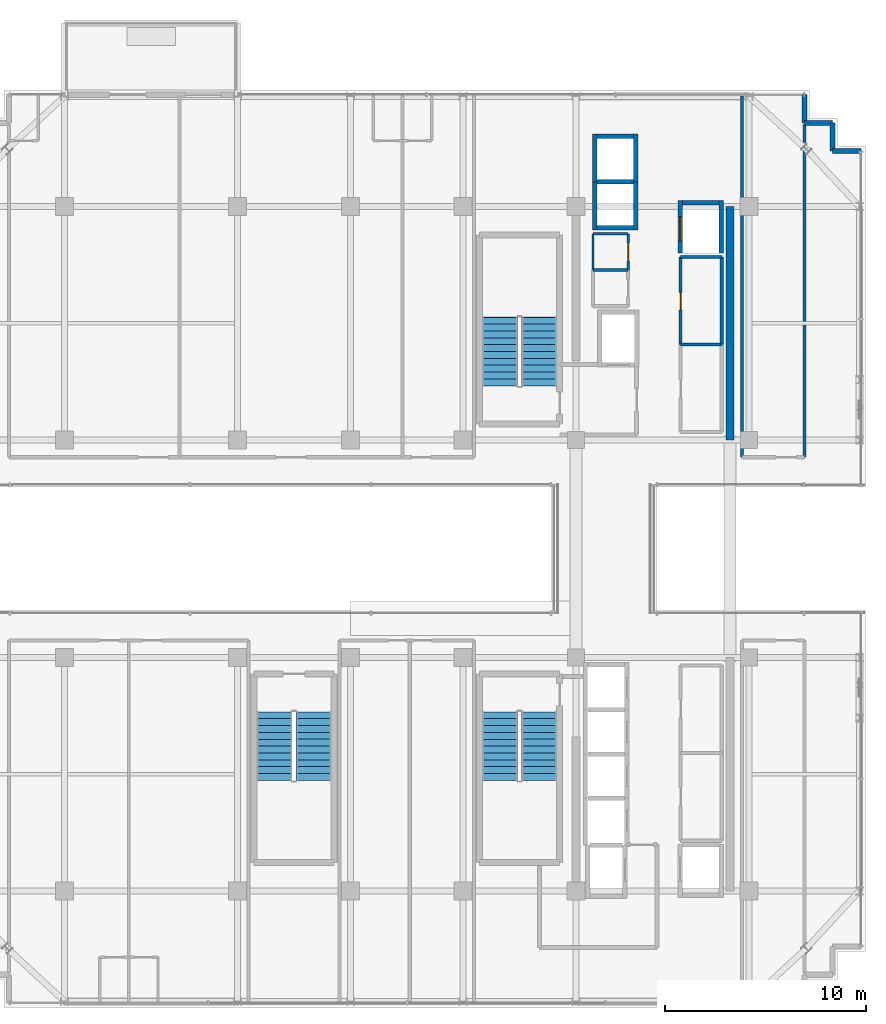
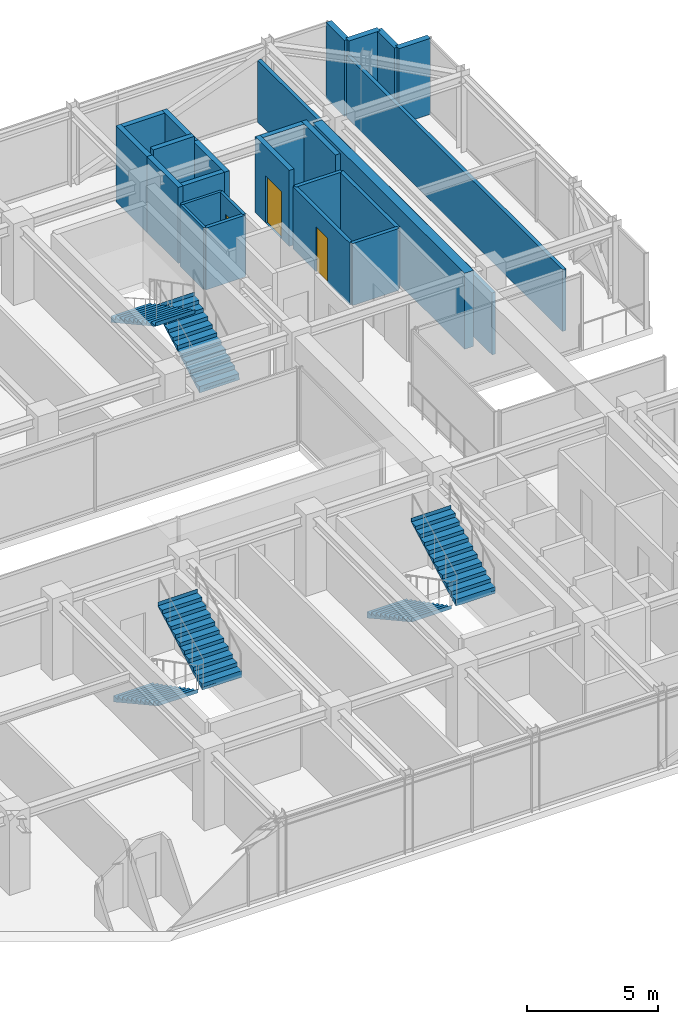
# One storey, part 36 of 40: 25 walls, 6 stair flights, 3 doors, 3 openings, 3 elements without a shape of their own.
"""IFC4 building model written with IfcOpenShell, lengths in metres."""

from ifc_helpers import new_model, si_unit, direction, frame, frame_2d, origin, place, context, subcontext, project, spatial, polyline, rectangle, outline, extrude, source, transform, mapped, material, layer, layer_set, type_object, element, fill, aggregate, save


model = new_model("IFC4")

# Units and contexts
model_context = context("Model", 3, precision=1e-05, world=origin(), true_north=direction((0.0, 1.0)))
body_context = subcontext(model_context, "Body", "Model", "MODEL_VIEW")
ifc_project = project(units=[si_unit("LENGTHUNIT", "METRE"), si_unit("AREAUNIT", "SQUARE_METRE"), si_unit("VOLUMEUNIT", "CUBIC_METRE"), si_unit("PLANEANGLEUNIT", "RADIAN"), si_unit("MASSUNIT", "GRAM", prefix="KILO")], contexts=[model_context])

# Site, building, storey
site_placement = place(None, origin())
site = spatial("IfcSite", under=ifc_project, at=site_placement, CompositionType="ELEMENT")
building_placement = place(site_placement, origin())
building = spatial("IfcBuilding", under=site, at=building_placement, Name="Nahalor Promenade Grand Hotel", CompositionType="ELEMENT")
storey_placement = place(building_placement, frame((0.0, 0.0, 288.800048828125)))
storey = spatial("IfcBuildingStorey", under=building, at=storey_placement, Name="L74", CompositionType="ELEMENT", Elevation=288.800048828125)

# Walls
ifc_material_1 = material(Name="Concrete B-50 (C40/50)", Category="concrete")
ifc_layer_1 = layer(ifc_material_1, 0.39990234375)
ifc_layer_set_1 = layer_set([ifc_layer_1], Name="Concrete B-50 (C40/50)")
wall_type_1 = type_object("IfcWallType", Name="Wall-CoreShear-400", PredefinedType="SHEAR", material=ifc_layer_set_1)
shared_shape_1 = source(origin(), body_context, "Body", "SweptSolid", [
    extrude(rectangle(XDim=11.60009765625, YDim=0.39990234375, at=frame_2d((5.800048828125, 0.0))), origin(), (0.0, 0.0, 1.0), 3.550048828125),
])
wall_1_placement = place(storey_placement, frame((16.050048828125, 5.39990234375, 0.0), z_axis=(0.0, 0.0, 1.0), x_axis=(0.0, 1.0, 0.0)))
element("IfcWall", 1, at=wall_1_placement, inside=storey, type_object=wall_type_1, Name="CWALL-L74-NE", PredefinedType="SHEAR", context=body_context, shape_type="MappedRepresentation", body=[
    mapped(shared_shape_1, transform((0.0, 0.0, 0.0), scale=1.0)),
])
ifc_layer_2 = layer(ifc_material_1, 0.219970703125)
ifc_layer_set_2 = layer_set([ifc_layer_2], Name="Concrete B-50 (C40/50)")
wall_type_2 = type_object("IfcWallType", Name="Wall-LiftShaft-220", PredefinedType="SHEAR", material=ifc_layer_set_2)
shared_shape_2 = source(origin(), body_context, "Body", "SweptSolid", [
    extrude(rectangle(XDim=1.820068359375, YDim=0.219970703125, at=frame_2d((0.91015625, 0.0))), origin(), (0.0, 0.0, 1.0), 3.550048828125),
])
for number, where, z_axis, x_axis, name in (
    (2, (9.43994140625, 15.949951171875, 0.0), (0.0, 0.0, 1.0), (1.0, 0.0, 0.0), "L74 Lift OB1 Hoistway Wall S"),
    (3, (9.43994140625, 20.5, 0.0), (0.0, 0.0, 1.0), (1.0, 0.0, 0.0), "L74 Lift OB2 Hoistway Wall N"),
    (4, (13.68994140625, 17.199951171875, 0.0), (0.0, 0.0, 1.0), (1.0, 0.0, 0.0), "L74 Lift SV1 Hoistway Wall N"),
):
    element("IfcWall", number, at=place(storey_placement, frame(where, z_axis=z_axis, x_axis=x_axis)), inside=storey, type_object=wall_type_2, Name=name, PredefinedType="SHEAR", context=body_context, shape_type="MappedRepresentation", body=[
        mapped(shared_shape_2, transform((0.0, 0.0, 0.0), scale=1.0)),
    ])
shared_shape_3 = source(origin(), body_context, "Body", "SweptSolid", [
    extrude(rectangle(XDim=1.820068359375, YDim=0.219970703125, at=frame_2d((0.91015625, 0.0))), origin(), (0.0, 0.0, 1.0), 3.849853515625),
])
wall_2_placement = place(storey_placement, frame((9.43994140625, 18.22509765625, 0.0), z_axis=(0.0, 0.0, 1.0), x_axis=(1.0, 0.0, 0.0)))
element("IfcWall", 5, at=wall_2_placement, inside=storey, type_object=wall_type_2, Name="L74 Lift OB1 Hoistway Wall N", PredefinedType="SHEAR", context=body_context, shape_type="MappedRepresentation", body=[
    mapped(shared_shape_3, transform((0.0, 0.0, 0.0), scale=1.0)),
])
shared_shape_4 = source(origin(), body_context, "Body", "SweptSolid", [
    extrude(rectangle(XDim=2.385009765625, YDim=0.219970703125, at=frame_2d((1.1923828125, 0.0))), origin(), (0.0, 0.0, 1.0), 3.550048828125),
])
for number, where, z_axis, x_axis, name in (
    (6, (9.330078125, 15.840087890625, 0.0), (0.0, 0.0, 1.0), (0.0, 1.0, 0.0), "L74 Lift OB1 Hoistway Wall W"),
    (7, (11.3701171875, 15.840087890625, 0.0), (0.0, 0.0, 1.0), (0.0, 1.0, 0.0), "L74 Lift OB1 Hoistway Wall E"),
    (8, (9.330078125, 18.22509765625, 0.0), (0.0, 0.0, 1.0), (0.0, 1.0, 0.0), "L74 Lift OB2 Hoistway Wall W"),
    (9, (11.3701171875, 18.22509765625, 0.0), (0.0, 0.0, 1.0), (0.0, 1.0, 0.0), "L74 Lift OB2 Hoistway Wall E"),
):
    element("IfcWall", number, at=place(storey_placement, frame(where, z_axis=z_axis, x_axis=x_axis)), inside=storey, type_object=wall_type_2, Name=name, PredefinedType="SHEAR", context=body_context, shape_type="MappedRepresentation", body=[
        mapped(shared_shape_4, transform((0.0, 0.0, 0.0), scale=1.0)),
    ])

# Wall, opening, door
shared_shape_5 = source(origin(), body_context, "Body", "SweptSolid", [
    extrude(rectangle(XDim=2.610107421875, YDim=0.219970703125, at=frame_2d((1.30517578125, 0.0))), origin(), (0.0, 0.0, 1.0), 3.550048828125),
])
wall_3_placement = place(storey_placement, frame((13.580078125, 14.699951171875, 0.0), z_axis=(0.0, 0.0, 1.0), x_axis=(0.0, 1.0, 0.0)))
wall_3 = element("IfcWall", 10, at=wall_3_placement, inside=storey, type_object=wall_type_2, Name="L74 Lift SV1 Hoistway Wall W", PredefinedType="SHEAR", context=body_context, shape_type="MappedRepresentation", body=[
    mapped(shared_shape_5, transform((0.0, 0.0, 0.0), scale=1.0)),
])
opening_1_placement = place(wall_3_placement, frame((0.60009765625, 0.0, 0.0)))
opening_1 = element("IfcOpeningElement", 11, at=opening_1_placement, cuts=wall_3, Name="Opening LD-03", PredefinedType="OPENING", context=body_context, shape_type="SweptSolid", body=[
    extrude(rectangle(XDim=1.199951171875, YDim=2.199951171875, at=frame_2d((0.60009765625, 1.10009765625))), frame((0.0, 0.119873046875, 0.0), z_axis=(0.0, -1.0, 0.0), x_axis=(1.0, 0.0, 0.0)), (0.0, 0.0, 1.0), 0.239990234375),
])
ifc_material_2 = material(Name="Steel S355JR", Category="steel")
door_type_1 = type_object("IfcDoorType", Name="Door-LiftService-1200", OperationType="DOUBLE_DOOR_SLIDING", PredefinedType="DOOR", material=ifc_material_2)
shared_shape_6 = source(origin(), body_context, "Body", "SweptSolid", [
    extrude(rectangle(XDim=1.199951171875, YDim=2.199951171875, at=frame_2d((0.60009765625, 1.10009765625))), frame((0.0, 0.02490234375, 0.0), z_axis=(0.0, -1.0, 0.0), x_axis=(1.0, 0.0, 0.0)), (0.0, 0.0, 1.0), 0.050048828125),
])
door_1_placement = place(opening_1_placement, origin())
door_1 = element("IfcDoor", 12, at=door_1_placement, inside=storey, type_object=door_type_1, Name="DR-LIFT-SV1-L74", OperationType="DOUBLE_DOOR_SLIDING", OverallHeight=2.199951171875, OverallWidth=1.199951171875, PredefinedType="DOOR", context=body_context, shape_type="MappedRepresentation", body=[
    mapped(shared_shape_6, transform((0.0, 0.0, 0.0), scale=1.0)),
])
fill(opening_1, door_1)

# Walls
wall_4_placement = place(storey_placement, frame((15.6201171875, 14.699951171875, 0.0), z_axis=(0.0, 0.0, 1.0), x_axis=(0.0, 1.0, 0.0)))
element("IfcWall", 13, at=wall_4_placement, inside=storey, type_object=wall_type_2, Name="L74 Lift SV1 Hoistway Wall E", PredefinedType="SHEAR", context=body_context, shape_type="MappedRepresentation", body=[
    mapped(shared_shape_5, transform((0.0, 0.0, 0.0), scale=1.0)),
])
ifc_material_3 = material(Name="Concrete B-40 (C32/40)", Category="concrete")
ifc_layer_3 = layer(ifc_material_3, 0.25)
ifc_layer_set_3 = layer_set([ifc_layer_3], Name="Concrete B-40 (C32/40)")
wall_type_3 = type_object("IfcWallType", Name="Wall-BronzePier-250", PredefinedType="STANDARD", material=ifc_layer_set_3)
shared_shape_7 = source(origin(), body_context, "Body", "SweptSolid", [
    extrude(rectangle(XDim=1.400146484375, YDim=0.25, at=frame_2d((0.7001953125, 0.0))), origin(), (0.0, 0.0, 1.0), 3.550048828125),
])
for number, where, z_axis, x_axis, name in (
    (14, (21.159912109375, 19.760009765625, 0.0), (0.0, 0.0, 1.0), (1.0, 0.0, 0.0), "W-L74-SR-05"),
    (15, (19.760009765625, 21.159912109375, 0.0), (0.0, 0.0, 1.0), (0.0, 1.0, 0.0), "W-L74-SR-08"),
):
    element("IfcWall", number, at=place(storey_placement, frame(where, z_axis=z_axis, x_axis=x_axis)), inside=storey, type_object=wall_type_3, Name=name, PredefinedType="STANDARD", context=body_context, shape_type="MappedRepresentation", body=[
        mapped(shared_shape_7, transform((0.0, 0.0, 0.0), scale=1.0)),
    ])
shared_shape_8 = source(origin(), body_context, "Body", "SweptSolid", [
    extrude(rectangle(XDim=1.39990234375, YDim=0.25, at=frame_2d((0.699951171875, 0.0))), origin(), (0.0, 0.0, 1.0), 3.550048828125),
])
for number, where, z_axis, x_axis, name in (
    (16, (21.159912109375, 19.760009765625, 0.0), (0.0, 0.0, 1.0), (0.0, 1.0, 0.0), "W-L74-SR-06"),
    (17, (19.760009765625, 21.159912109375, 0.0), (0.0, 0.0, 1.0), (1.0, 0.0, 0.0), "W-L74-SR-07"),
):
    element("IfcWall", number, at=place(storey_placement, frame(where, z_axis=z_axis, x_axis=x_axis)), inside=storey, type_object=wall_type_3, Name=name, PredefinedType="STANDARD", context=body_context, shape_type="MappedRepresentation", body=[
        mapped(shared_shape_8, transform((0.0, 0.0, 0.0), scale=1.0)),
    ])
ifc_material_4 = material(Name="Acoustic Mineral Gypsum", Category="gypsum")
ifc_layer_4 = layer(ifc_material_4, 0.14990234375)
ifc_layer_set_4 = layer_set([ifc_layer_4], Name="Acoustic Mineral Gypsum")
wall_type_4 = type_object("IfcWallType", Name="Wall-PartService-150", PredefinedType="PARTITIONING", material=ifc_layer_set_4)
shared_shape_9 = source(origin(), body_context, "Body", "SweptSolid", [
    extrude(rectangle(XDim=1.75, YDim=0.14990234375, at=frame_2d((0.875, 0.0))), origin(), (0.0, 0.0, 1.0), 2.889892578125),
])
wall_5_placement = place(storey_placement, frame((9.25, 13.85009765625, 0.0), z_axis=(0.0, 0.0, 1.0), x_axis=(1.0, 0.0, 0.0)))
element("IfcWall", 18, at=wall_5_placement, inside=storey, type_object=wall_type_4, Name="W-L74-CK2A-N", PredefinedType="PARTITIONING", context=body_context, shape_type="MappedRepresentation", body=[
    mapped(shared_shape_9, transform((0.0, 0.0, 0.0), scale=1.0)),
])
ifc_layer_5 = layer(ifc_material_4, 0.1201171875)
ifc_layer_set_5 = layer_set([ifc_layer_5], Name="Acoustic Mineral Gypsum")
wall_type_5 = type_object("IfcWallType", Name="Wall-PartBath-120", PredefinedType="PARTITIONING", material=ifc_layer_set_5)
shared_shape_10 = source(origin(), body_context, "Body", "SweptSolid", [
    extrude(rectangle(XDim=1.75, YDim=0.1201171875, at=frame_2d((0.875, 0.0))), origin(), (0.0, 0.0, 1.0), 2.889892578125),
])
wall_6_placement = place(storey_placement, frame((9.25, 15.64990234375, 0.0), z_axis=(0.0, 0.0, 1.0), x_axis=(1.0, 0.0, 0.0)))
element("IfcWall", 19, at=wall_6_placement, inside=storey, type_object=wall_type_5, Name="W-L74-CK2B-N", PredefinedType="PARTITIONING", context=body_context, shape_type="MappedRepresentation", body=[
    mapped(shared_shape_10, transform((0.0, 0.0, 0.0), scale=1.0)),
])
shared_shape_11 = source(origin(), body_context, "Body", "SweptSolid", [
    extrude(rectangle(XDim=1.7998046875, YDim=0.1201171875, at=frame_2d((0.89990234375, 0.0))), origin(), (0.0, 0.0, 1.0), 2.889892578125),
])
wall_7_placement = place(storey_placement, frame((9.25, 13.85009765625, 0.0), z_axis=(0.0, 0.0, 1.0), x_axis=(0.0, 1.0, 0.0)))
element("IfcWall", 20, at=wall_7_placement, inside=storey, type_object=wall_type_5, Name="W-L74-CK2B-W", PredefinedType="PARTITIONING", context=body_context, shape_type="MappedRepresentation", body=[
    mapped(shared_shape_11, transform((0.0, 0.0, 0.0), scale=1.0)),
])

# Wall, opening, door
wall_8_placement = place(storey_placement, frame((11.0, 13.85009765625, 0.0), z_axis=(0.0, 0.0, 1.0), x_axis=(0.0, 1.0, 0.0)))
wall_8 = element("IfcWall", 21, at=wall_8_placement, inside=storey, type_object=wall_type_5, Name="W-L74-CK2B-E", PredefinedType="PARTITIONING", context=body_context, shape_type="MappedRepresentation", body=[
    mapped(shared_shape_11, transform((0.0, 0.0, 0.0), scale=1.0)),
])
opening_2_placement = place(wall_8_placement, frame((0.4599609375, 0.0, 0.0)))
opening_2 = element("IfcOpeningElement", 22, at=opening_2_placement, cuts=wall_8, Name="Opening D-03", PredefinedType="OPENING", context=body_context, shape_type="SweptSolid", body=[
    extrude(rectangle(XDim=0.8798828125, YDim=2.10009765625, at=frame_2d((0.43994140625, 1.050048828125))), frame((0.0, 0.070068359375, 0.0), z_axis=(0.0, -1.0, 0.0), x_axis=(1.0, 0.0, 0.0)), (0.0, 0.0, 1.0), 0.14013671875),
])
ifc_material_5 = material(Name="Fire-Rated Timber Composite", Category="wood")
door_type_2 = type_object("IfcDoorType", Name="Door-BathSwing-880", OperationType="NOTDEFINED", PredefinedType="DOOR", material=ifc_material_5)
shared_shape_12 = source(origin(), body_context, "Body", "SweptSolid", [
    extrude(rectangle(XDim=0.8798828125, YDim=2.10009765625, at=frame_2d((0.43994140625, 1.050048828125))), frame((0.0, 0.02490234375, 0.0), z_axis=(0.0, -1.0, 0.0), x_axis=(1.0, 0.0, 0.0)), (0.0, 0.0, 1.0), 0.050048828125),
])
door_2_placement = place(opening_2_placement, origin())
door_2 = element("IfcDoor", 23, at=door_2_placement, inside=storey, type_object=door_type_2, Name="DR-L74-CK2B", OperationType="SINGLE_SWING_RIGHT", OverallHeight=2.10009765625, OverallWidth=0.8798828125, PredefinedType="DOOR", context=body_context, shape_type="MappedRepresentation", body=[
    mapped(shared_shape_12, transform((0.0, 0.0, 0.0), scale=1.0)),
])
fill(opening_2, door_2)

# Walls
ifc_layer_6 = layer(ifc_material_4, 0.159912109375)
ifc_layer_set_6 = layer_set([ifc_layer_6], Name="Acoustic Mineral Gypsum")
wall_type_6 = type_object("IfcWallType", Name="Wall-PartCorridor-160", PredefinedType="PARTITIONING", material=ifc_layer_set_6)
shared_shape_13 = source(origin(), body_context, "Body", "SweptSolid", [
    extrude(rectangle(XDim=2.0498046875, YDim=0.159912109375, at=frame_2d((1.02490234375, 0.0))), origin(), (0.0, 0.0, 1.0), 2.889892578125),
])
for number, where, z_axis, x_axis, name in (
    (24, (13.60009765625, 10.14990234375, 0.0), (0.0, 0.0, 1.0), (1.0, 0.0, 0.0), "W-L74-FRB1A-N"),
    (25, (13.60009765625, 14.5, 0.0), (0.0, 0.0, 1.0), (1.0, 0.0, 0.0), "W-L74-FRB1B-N"),
):
    element("IfcWall", number, at=place(storey_placement, frame(where, z_axis=z_axis, x_axis=x_axis)), inside=storey, type_object=wall_type_6, Name=name, PredefinedType="PARTITIONING", context=body_context, shape_type="MappedRepresentation", body=[
        mapped(shared_shape_13, transform((0.0, 0.0, 0.0), scale=1.0)),
    ])

# Wall, opening, door
shared_shape_14 = source(origin(), body_context, "Body", "SweptSolid", [
    extrude(rectangle(XDim=4.35009765625, YDim=0.159912109375, at=frame_2d((2.175048828125, 0.0))), origin(), (0.0, 0.0, 1.0), 2.889892578125),
])
wall_9_placement = place(storey_placement, frame((13.60009765625, 10.14990234375, 0.0), z_axis=(0.0, 0.0, 1.0), x_axis=(0.0, 1.0, 0.0)))
wall_9 = element("IfcWall", 26, at=wall_9_placement, inside=storey, type_object=wall_type_6, Name="W-L74-FRB1B-W", PredefinedType="PARTITIONING", context=body_context, shape_type="MappedRepresentation", body=[
    mapped(shared_shape_14, transform((0.0, 0.0, 0.0), scale=1.0)),
])
opening_3_placement = place(wall_9_placement, frame((1.7099609375, 0.0, 0.0)))
opening_3 = element("IfcOpeningElement", 27, at=opening_3_placement, cuts=wall_9, Name="Opening D-03", PredefinedType="OPENING", context=body_context, shape_type="SweptSolid", body=[
    extrude(rectangle(XDim=0.8798828125, YDim=2.10009765625, at=frame_2d((0.43994140625, 1.050048828125))), frame((0.0, 0.08984375, 0.0), z_axis=(0.0, -1.0, 0.0), x_axis=(1.0, 0.0, 0.0)), (0.0, 0.0, 1.0), 0.179931640625),
])
door_3_placement = place(opening_3_placement, frame((0.8798828125, 0.0, 0.0), z_axis=(0.0, 0.0, 1.0), x_axis=(-1.0, 0.0, 0.0)))
door_3 = element("IfcDoor", 28, at=door_3_placement, inside=storey, type_object=door_type_2, Name="DR-L74-FRB1B", OperationType="SINGLE_SWING_RIGHT", OverallHeight=2.10009765625, OverallWidth=0.8798828125, PredefinedType="DOOR", context=body_context, shape_type="MappedRepresentation", body=[
    mapped(shared_shape_12, transform((0.0, 0.0, 0.0), scale=1.0)),
])
fill(opening_3, door_3)

# Walls
wall_10_placement = place(storey_placement, frame((15.64990234375, 10.14990234375, 0.0), z_axis=(0.0, 0.0, 1.0), x_axis=(0.0, 1.0, 0.0)))
element("IfcWall", 29, at=wall_10_placement, inside=storey, type_object=wall_type_6, Name="W-L74-FRB1B-E", PredefinedType="PARTITIONING", context=body_context, shape_type="MappedRepresentation", body=[
    mapped(shared_shape_14, transform((0.0, 0.0, 0.0), scale=1.0)),
])
shared_shape_15 = source(origin(), body_context, "Body", "SweptSolid", [
    extrude(rectangle(XDim=17.949951171875, YDim=0.159912109375, at=frame_2d((8.97509765625, 0.0))), origin(), (0.0, 0.0, 1.0), 2.889892578125),
])
wall_11_placement = place(storey_placement, frame((16.64990234375, 4.550048828125, 0.0), z_axis=(0.0, 0.0, 1.0), x_axis=(0.0, 1.0, 0.0)))
element("IfcWall", 30, at=wall_11_placement, inside=storey, type_object=wall_type_6, Name="W-L74-ENE-W", PredefinedType="PARTITIONING", context=body_context, shape_type="MappedRepresentation", body=[
    mapped(shared_shape_15, transform((0.0, 0.0, 0.0), scale=1.0)),
])
shared_shape_16 = source(origin(), body_context, "Body", "SweptSolid", [
    extrude(rectangle(XDim=16.530029296875, YDim=0.159912109375, at=frame_2d((8.26513671875, 0.0))), origin(), (0.0, 0.0, 1.0), 2.889892578125),
])
wall_12_placement = place(storey_placement, frame((19.760009765625, 4.550048828125, 0.0), z_axis=(0.0, 0.0, 1.0), x_axis=(0.0, 1.0, 0.0)))
element("IfcWall", 31, at=wall_12_placement, inside=storey, type_object=wall_type_6, Name="W-L74-ENE-E", PredefinedType="PARTITIONING", context=body_context, shape_type="MappedRepresentation", body=[
    mapped(shared_shape_16, transform((0.0, 0.0, 0.0), scale=1.0)),
])

# Stair, stair flights
stair_type_1 = type_object("IfcStairType", Name="Stair-ST1", PredefinedType="HALF_TURN_STAIR", material=ifc_material_1)
stair_1_placement = place(storey_placement, origin())
stair_1 = element("IfcStair", 32, at=stair_1_placement, inside=storey, type_object=stair_type_1, Name="L74 ST1", PredefinedType="HALF_TURN_STAIR")
ifc_layer_7 = layer(ifc_material_1, 0.179931640625)
ifc_layer_set_7 = layer_set([ifc_layer_7], Name="Concrete B-50 (C40/50)")
stair_flight_type_1 = type_object("IfcStairFlightType", Name="Flight-ST1", PredefinedType="STRAIGHT", material=ifc_layer_set_7)
shared_shape_17 = source(origin(), body_context, "Body", "SweptSolid", [
    extrude(outline(polyline([(-0.00390625, -0.1201171875), (-0.00390625, 0.0), (0.0, 0.0), (0.0, 0.175048828125), (0.340087890625, 0.175048828125), (0.340087890625, 0.35009765625), (0.679931640625, 0.35009765625), (0.679931640625, 0.52490234375), (1.02001953125, 0.52490234375), (1.02001953125, 0.699951171875), (1.360107421875, 0.699951171875), (1.360107421875, 0.875), (1.699951171875, 0.875), (1.699951171875, 1.050048828125), (2.0400390625, 1.050048828125), (2.0400390625, 1.22509765625), (2.3798828125, 1.22509765625), (2.3798828125, 1.39990234375), (2.719970703125, 1.39990234375), (2.719970703125, 1.574951171875), (3.06005859375, 1.574951171875), (3.06005859375, 1.75), (3.39990234375, 1.75), (3.39990234375, 1.925048828125), (3.404052734375, 1.925048828125), (3.404052734375, 1.7451171875), (0.02001953125, -0.1201171875), (-0.00390625, -0.1201171875)])), frame((0.0, 0.875, 0.0), z_axis=(0.0, -1.0, 0.0), x_axis=(1.0, 0.0, 0.0)), (0.0, 0.0, 1.0), 1.75),
])
stair_flight_1_placement = place(storey_placement, frame((6.574951171875, 8.10009765625, 0.0), z_axis=(0.0, 0.0, 1.0), x_axis=(0.0, 1.0, 0.0)))
stair_flight_1 = element("IfcStairFlight", 33, at=stair_flight_1_placement, type_object=stair_flight_type_1, Name="ST1 flight 1", NumberOfRisers=11, NumberOfTreads=10, PredefinedType="STRAIGHT", RiserHeight=0.175, TreadLength=0.34, context=body_context, shape_type="MappedRepresentation", body=[
    mapped(shared_shape_17, transform((0.0, 0.0, 0.0), scale=1.0)),
])
stair_flight_2_placement = place(storey_placement, frame((4.625, 11.5, 1.925048828125), z_axis=(0.0, 0.0, 1.0), x_axis=(0.0, -1.0, 0.0)))
stair_flight_2 = element("IfcStairFlight", 34, at=stair_flight_2_placement, type_object=stair_flight_type_1, Name="ST1 flight 2", NumberOfRisers=11, NumberOfTreads=10, PredefinedType="STRAIGHT", RiserHeight=0.175, TreadLength=0.34, context=body_context, shape_type="MappedRepresentation", body=[
    mapped(shared_shape_17, transform((0.0, 0.0, 0.0), scale=1.0)),
])
aggregate(stair_1, [stair_flight_1, stair_flight_2])

stair_type_2 = type_object("IfcStairType", Name="Stair-ST2", PredefinedType="HALF_TURN_STAIR", material=ifc_material_1)
stair_2_placement = place(storey_placement, origin())
stair_2 = element("IfcStair", 35, at=stair_2_placement, inside=storey, type_object=stair_type_2, Name="L74 ST2", PredefinedType="HALF_TURN_STAIR")
ifc_layer_8 = layer(ifc_material_1, 0.18994140625)
ifc_layer_set_8 = layer_set([ifc_layer_8], Name="Concrete B-50 (C40/50)")
stair_flight_type_2 = type_object("IfcStairFlightType", Name="Flight-ST2", PredefinedType="STRAIGHT", material=ifc_layer_set_8)
shared_shape_18 = source(origin(), body_context, "Body", "SweptSolid", [
    extrude(outline(polyline([(-0.00390625, -0.1201171875), (-0.00390625, 0.0), (0.0, 0.0), (0.0, 0.175048828125), (0.340087890625, 0.175048828125), (0.340087890625, 0.35009765625), (0.679931640625, 0.35009765625), (0.679931640625, 0.52490234375), (1.02001953125, 0.52490234375), (1.02001953125, 0.699951171875), (1.360107421875, 0.699951171875), (1.360107421875, 0.875), (1.699951171875, 0.875), (1.699951171875, 1.050048828125), (2.0400390625, 1.050048828125), (2.0400390625, 1.22509765625), (2.3798828125, 1.22509765625), (2.3798828125, 1.39990234375), (2.719970703125, 1.39990234375), (2.719970703125, 1.574951171875), (3.06005859375, 1.574951171875), (3.06005859375, 1.75), (3.39990234375, 1.75), (3.39990234375, 1.925048828125), (3.404052734375, 1.925048828125), (3.404052734375, 1.7451171875), (0.02001953125, -0.1201171875), (-0.00390625, -0.1201171875)])), frame((0.0, 0.875, 0.0), z_axis=(0.0, -1.0, 0.0), x_axis=(1.0, 0.0, 0.0)), (0.0, 0.0, 1.0), 1.75),
])
stair_flight_3_placement = place(storey_placement, frame((4.625, -8.10009765625, 0.0), z_axis=(0.0, 0.0, 1.0), x_axis=(0.0, -1.0, 0.0)))
stair_flight_3 = element("IfcStairFlight", 36, at=stair_flight_3_placement, type_object=stair_flight_type_2, Name="ST2 flight 1", NumberOfRisers=11, NumberOfTreads=10, PredefinedType="STRAIGHT", RiserHeight=0.175, TreadLength=0.34, context=body_context, shape_type="MappedRepresentation", body=[
    mapped(shared_shape_18, transform((0.0, 0.0, 0.0), scale=1.0)),
])
stair_flight_4_placement = place(storey_placement, frame((6.574951171875, -11.5, 1.925048828125), z_axis=(0.0, 0.0, 1.0), x_axis=(0.0, 1.0, 0.0)))
stair_flight_4 = element("IfcStairFlight", 37, at=stair_flight_4_placement, type_object=stair_flight_type_2, Name="ST2 flight 2", NumberOfRisers=11, NumberOfTreads=10, PredefinedType="STRAIGHT", RiserHeight=0.175, TreadLength=0.34, context=body_context, shape_type="MappedRepresentation", body=[
    mapped(shared_shape_18, transform((0.0, 0.0, 0.0), scale=1.0)),
])
aggregate(stair_2, [stair_flight_3, stair_flight_4])

stair_type_3 = type_object("IfcStairType", Name="Stair-ST3", PredefinedType="HALF_TURN_STAIR", material=ifc_material_1)
stair_3_placement = place(storey_placement, origin())
stair_3 = element("IfcStair", 38, at=stair_3_placement, inside=storey, type_object=stair_type_3, Name="L74 ST3", PredefinedType="HALF_TURN_STAIR")
ifc_layer_9 = layer(ifc_material_1, 0.199951171875)
ifc_layer_set_9 = layer_set([ifc_layer_9], Name="Concrete B-50 (C40/50)")
stair_flight_type_3 = type_object("IfcStairFlightType", Name="Flight-ST3", PredefinedType="STRAIGHT", material=ifc_layer_set_9)
shared_shape_19 = source(origin(), body_context, "Body", "SweptSolid", [
    extrude(outline(polyline([(-0.00390625, -0.1201171875), (-0.00390625, 0.0), (0.0, 0.0), (0.0, 0.175048828125), (0.340087890625, 0.175048828125), (0.340087890625, 0.35009765625), (0.679931640625, 0.35009765625), (0.679931640625, 0.52490234375), (1.02001953125, 0.52490234375), (1.02001953125, 0.699951171875), (1.360107421875, 0.699951171875), (1.360107421875, 0.875), (1.699951171875, 0.875), (1.699951171875, 1.050048828125), (2.0400390625, 1.050048828125), (2.0400390625, 1.22509765625), (2.3798828125, 1.22509765625), (2.3798828125, 1.39990234375), (2.719970703125, 1.39990234375), (2.719970703125, 1.574951171875), (3.06005859375, 1.574951171875), (3.06005859375, 1.75), (3.39990234375, 1.75), (3.39990234375, 1.925048828125), (3.404052734375, 1.925048828125), (3.404052734375, 1.7451171875), (0.02001953125, -0.1201171875), (-0.00390625, -0.1201171875)])), frame((0.0, 0.875, 0.0), z_axis=(0.0, -1.0, 0.0), x_axis=(1.0, 0.0, 0.0)), (0.0, 0.0, 1.0), 1.75),
])
stair_flight_5_placement = place(storey_placement, frame((-6.574951171875, -8.10009765625, 0.0), z_axis=(0.0, 0.0, 1.0), x_axis=(0.0, -1.0, 0.0)))
stair_flight_5 = element("IfcStairFlight", 39, at=stair_flight_5_placement, type_object=stair_flight_type_3, Name="ST3 flight 1", NumberOfRisers=11, NumberOfTreads=10, PredefinedType="STRAIGHT", RiserHeight=0.175, TreadLength=0.34, context=body_context, shape_type="MappedRepresentation", body=[
    mapped(shared_shape_19, transform((0.0, 0.0, 0.0), scale=1.0)),
])
stair_flight_6_placement = place(storey_placement, frame((-4.625, -11.5, 1.925048828125), z_axis=(0.0, 0.0, 1.0), x_axis=(0.0, 1.0, 0.0)))
stair_flight_6 = element("IfcStairFlight", 40, at=stair_flight_6_placement, type_object=stair_flight_type_3, Name="ST3 flight 2", NumberOfRisers=11, NumberOfTreads=10, PredefinedType="STRAIGHT", RiserHeight=0.175, TreadLength=0.34, context=body_context, shape_type="MappedRepresentation", body=[
    mapped(shared_shape_19, transform((0.0, 0.0, 0.0), scale=1.0)),
])
aggregate(stair_3, [stair_flight_5, stair_flight_6])

save(model, "model.ifc")
